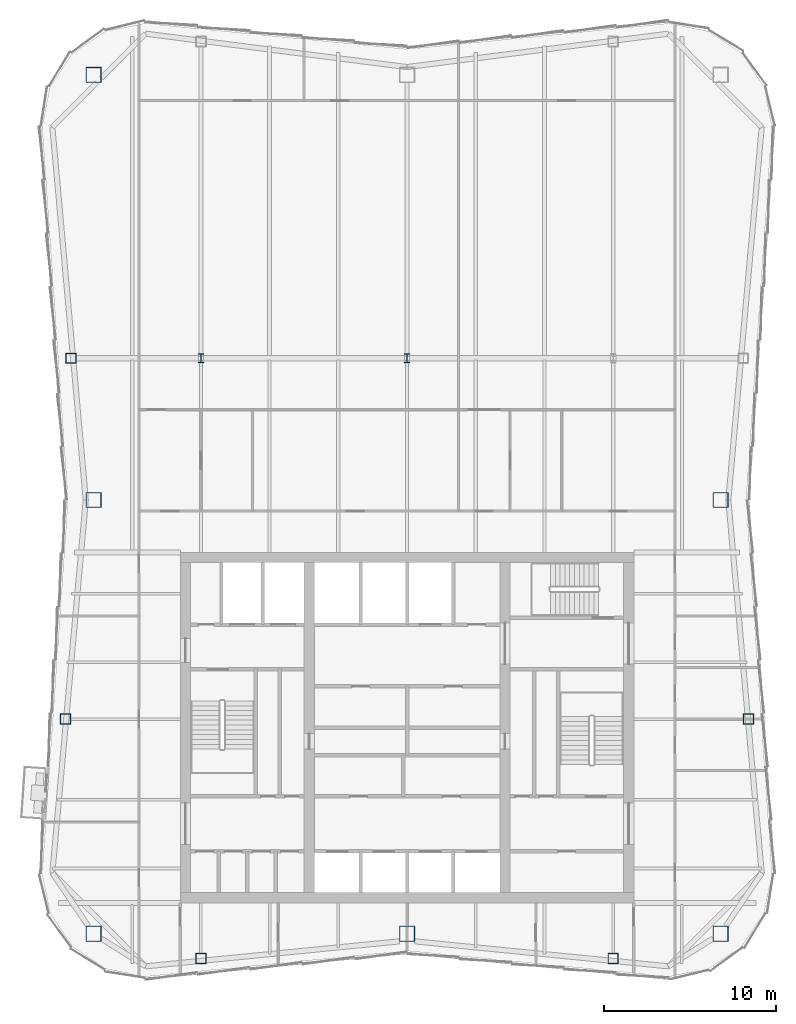
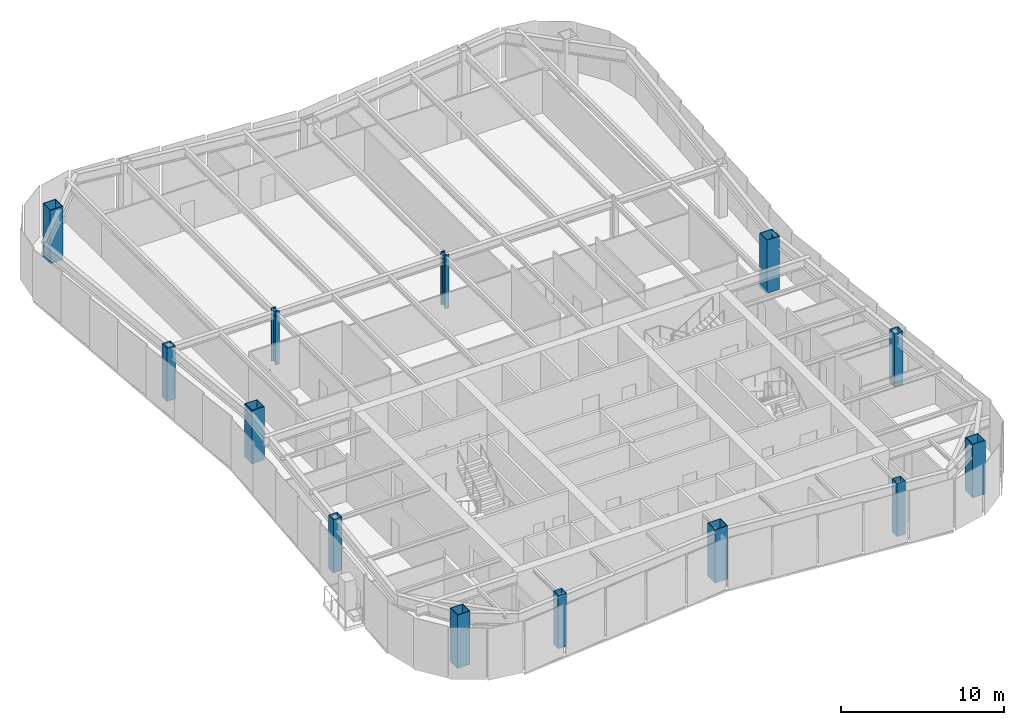
# One storey, part 1 of 10: 13 columns.
"""IFC4 building model written with IfcOpenShell, lengths in metres."""

from ifc_helpers import new_model, si_unit, direction, frame, origin, origin_2d, place, context, subcontext, project, spatial, hollow_rectangle, i_section, extrude, material, material_profile, profile_set, type_object, element, save


model = new_model("IFC4")

# Units and contexts
model_context = context("Model", 3, precision=1e-05, world=origin(), true_north=direction((0.0, 1.0)))
body_context = subcontext(model_context, "Body", "Model", "MODEL_VIEW")
ifc_project = project(units=[si_unit("LENGTHUNIT", "METRE"), si_unit("AREAUNIT", "SQUARE_METRE"), si_unit("VOLUMEUNIT", "CUBIC_METRE"), si_unit("PLANEANGLEUNIT", "RADIAN"), si_unit("MASSUNIT", "GRAM", prefix="KILO")], contexts=[model_context])

# Site, building, storey
site_placement = place(None, origin())
site = spatial("IfcSite", under=ifc_project, at=site_placement, CompositionType="ELEMENT")
building_placement = place(site_placement, origin())
building = spatial("IfcBuilding", under=site, at=building_placement, Name="Verdant Reach Tower", CompositionType="ELEMENT")
storey_placement = place(building_placement, frame((0.0, 0.0, 302.0)))
storey = spatial("IfcBuildingStorey", under=building, at=storey_placement, Name="L69", CompositionType="ELEMENT", Elevation=302.0)

# Columns
ifc_material = material(Name="Steel S460", Category="steel")
ifc_material_profile_1 = material_profile(ifc_material, i_section(OverallWidth=0.305908203125, OverallDepth=0.52392578125, WebThickness=0.012451171875, FlangeThickness=0.0400390625, FilletRadius=0.027099609375, at=origin_2d()), Name="HEM 500")
ifc_profile_set_1 = profile_set([ifc_material_profile_1], Name="Steel S460")
column_type_1 = type_object("IfcColumnType", Name="ST-COL-HEM500", PredefinedType="COLUMN", material=ifc_profile_set_1)
for number, where, z_axis, x_axis, name in (
    (1, (-12.0, 49.5, 0.0), (0.0, 0.0, 1.0), (1.0, 0.0, 0.0), "Interior column 1, L69"),
    (2, (0.0, 49.5, 0.0), (0.0, 0.0, 1.0), (1.0, 0.0, 0.0), "Interior column 2, L69"),
):
    element("IfcColumn", number, at=place(storey_placement, frame(where, z_axis=z_axis, x_axis=x_axis)), inside=storey, type_object=column_type_1, Name=name, PredefinedType="COLUMN", context=body_context, shape_type="SweptSolid", body=[
        extrude(i_section(OverallWidth=0.305908203125, OverallDepth=0.52392578125, WebThickness=0.012451171875, FlangeThickness=0.0400390625, FilletRadius=0.027099609375, at=origin_2d()), origin(), (0.0, 0.0, 1.0), 4.0),
    ])
ifc_material_profile_2 = material_profile(ifc_material, hollow_rectangle(XDim=0.60009765625, YDim=0.60009765625, WallThickness=0.02490234375, at=origin_2d()), Name="WB 600x600x25")
ifc_profile_set_2 = profile_set([ifc_material_profile_2], Name="Steel S460")
column_type_2 = type_object("IfcColumnType", Name="ST-COL-WB600x600x25", PredefinedType="COLUMN", material=ifc_profile_set_2)
for number, where, z_axis, x_axis, name in (
    (3, (-12.0, 14.569580078125, 0.0), (0.0, 0.0, 1.0), (1.0, 0.0, 0.0), "Perimeter column south 1, L69"),
    (4, (12.0, 14.569580078125, 0.0), (0.0, 0.0, 1.0), (1.0, 0.0, 0.0), "Perimeter column south 2, L69"),
    (5, (19.87939453125, 28.5, 0.0), (0.0, 0.0, 1.0), (1.0, 0.0, 0.0), "Perimeter column east 1, L69"),
    (6, (-19.87939453125, 28.5, 0.0), (0.0, 0.0, 1.0), (1.0, 0.0, 0.0), "Perimeter column west 1, L69"),
    (7, (-19.569091796875, 49.5, 0.0), (0.0, 0.0, 1.0), (1.0, 0.0, 0.0), "Perimeter column west 2, L69"),
):
    element("IfcColumn", number, at=place(storey_placement, frame(where, z_axis=z_axis, x_axis=x_axis)), inside=storey, type_object=column_type_2, Name=name, PredefinedType="COLUMN", context=body_context, shape_type="SweptSolid", body=[
        extrude(hollow_rectangle(XDim=0.60009765625, YDim=0.60009765625, WallThickness=0.02490234375, at=origin_2d()), origin(), (0.0, 0.0, 1.0), 4.0),
    ])
ifc_material_profile_3 = material_profile(ifc_material, hollow_rectangle(XDim=0.89990234375, YDim=0.89990234375, WallThickness=0.0400390625, at=origin_2d()), Name="WB 900x900x40")
ifc_profile_set_3 = profile_set([ifc_material_profile_3], Name="Steel S460")
column_type_3 = type_object("IfcColumnType", Name="ST-COL-WB900x900x40", PredefinedType="COLUMN", material=ifc_profile_set_3)
for number, where, z_axis, x_axis, name in (
    (8, (-18.25, 66.0, 0.0), (0.0, 0.0, 1.0), (1.0, 0.0, 0.0), "Mega column north-west, L69"),
    (9, (18.25, 41.25, 0.0), (0.0, 0.0, 1.0), (1.0, 0.0, 0.0), "Mega column east, L69"),
    (10, (18.25, 16.0, 0.0), (0.0, 0.0, 1.0), (1.0, 0.0, 0.0), "Mega column south-east, L69"),
    (11, (0.0, 16.0, 0.0), (0.0, 0.0, 1.0), (1.0, 0.0, 0.0), "Mega column south, L69"),
    (12, (-18.25, 16.0, 0.0), (0.0, 0.0, 1.0), (1.0, 0.0, 0.0), "Mega column south-west, L69"),
    (13, (-18.25, 41.25, 0.0), (0.0, 0.0, 1.0), (1.0, 0.0, 0.0), "Mega column west, L69"),
):
    element("IfcColumn", number, at=place(storey_placement, frame(where, z_axis=z_axis, x_axis=x_axis)), inside=storey, type_object=column_type_3, Name=name, PredefinedType="COLUMN", context=body_context, shape_type="SweptSolid", body=[
        extrude(hollow_rectangle(XDim=0.89990234375, YDim=0.89990234375, WallThickness=0.0400390625, at=origin_2d()), origin(), (0.0, 0.0, 1.0), 4.0),
    ])

save(model, "model.ifc")
